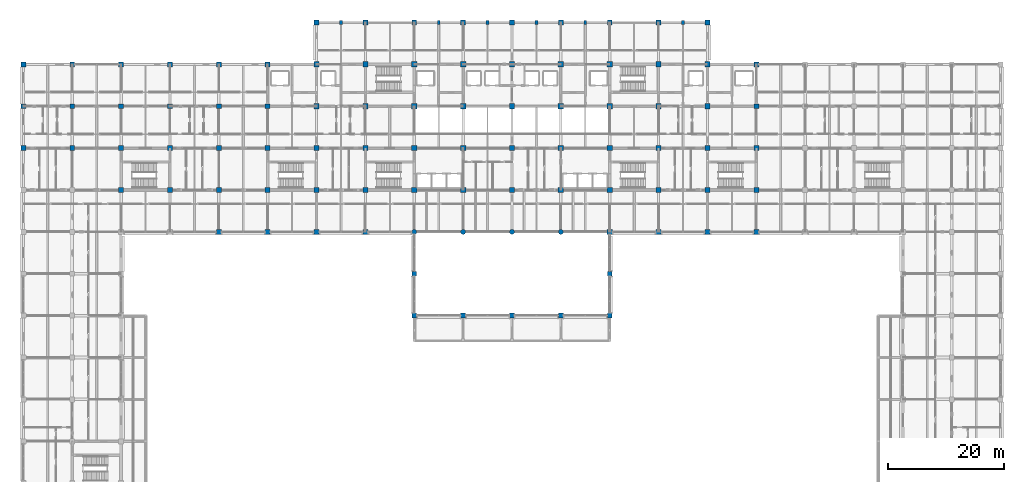
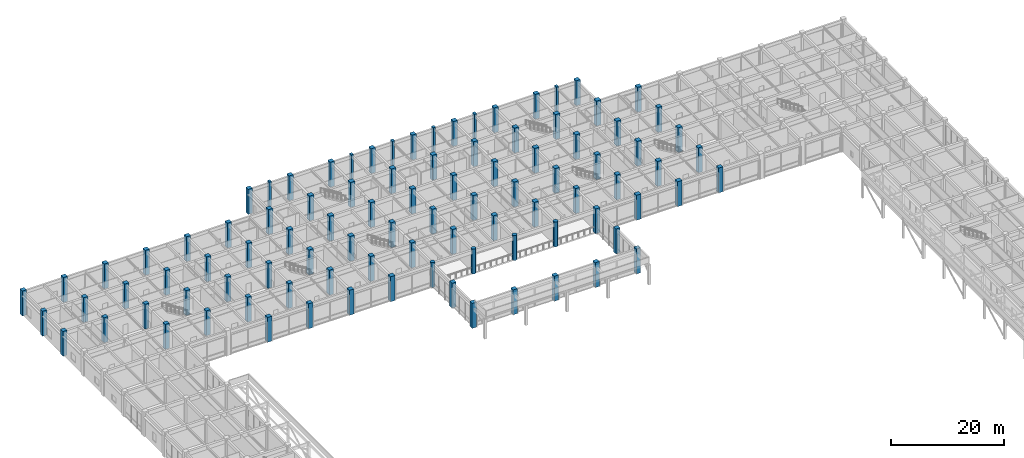
# One storey, part 2 of 68: 96 columns.
"""IFC4 building model written with IfcOpenShell, lengths in metres."""

from ifc_helpers import new_model, si_unit, direction, frame, origin, origin_2d, place, context, subcontext, project, spatial, rectangle, circle, extrude, material, material_profile, profile_set, type_object, element, save


model = new_model("IFC4")

# Units and contexts
model_context = context("Model", 3, precision=1e-05, world=origin(), true_north=direction((0.0, 1.0)))
body_context = subcontext(model_context, "Body", "Model", "MODEL_VIEW")
ifc_project = project(units=[si_unit("LENGTHUNIT", "METRE"), si_unit("AREAUNIT", "SQUARE_METRE"), si_unit("VOLUMEUNIT", "CUBIC_METRE"), si_unit("PLANEANGLEUNIT", "RADIAN"), si_unit("MASSUNIT", "GRAM", prefix="KILO")], contexts=[model_context])

# Site, building, storey
site_placement = place(None, origin())
site = spatial("IfcSite", under=ifc_project, at=site_placement, CompositionType="ELEMENT")
building_placement = place(site_placement, origin())
building = spatial("IfcBuilding", under=site, at=building_placement, Name="Chengyuan Square Courthouse", CompositionType="ELEMENT")
storey_placement = place(building_placement, frame((0.0, 0.0, 5.39990234375)))
storey = spatial("IfcBuildingStorey", under=building, at=storey_placement, Name="L02", CompositionType="ELEMENT", Elevation=5.39990234375)

# Columns
ifc_material_1 = material(Name="Concrete C50", Category="concrete")
ifc_material_profile_1 = material_profile(ifc_material_1, rectangle(XDim=0.89990234375, YDim=0.89990234375, at=origin_2d()), Name="RC-COL-900x900")
ifc_profile_set_1 = profile_set([ifc_material_profile_1], Name="Concrete C50")
column_type_1 = type_object("IfcColumnType", Name="CL-02", PredefinedType="COLUMN", material=ifc_profile_set_1)
for number, where, z_axis, x_axis, name in (
    (1, (50.39990234375, 79.199951171875, 0.0), (0.0, 0.0, 1.0), (1.0, 0.0, 0.0), "Column CL-L02-064"),
    (2, (50.39990234375, 86.39990234375, 0.0), (0.0, 0.0, 1.0), (1.0, 0.0, 0.0), "Column CL-L02-065"),
    (3, (50.39990234375, 93.60009765625, 0.0), (0.0, 0.0, 1.0), (1.0, 0.0, 0.0), "Column CL-L02-066"),
    (4, (50.39990234375, 100.800048828125, 0.0), (0.0, 0.0, 1.0), (1.0, 0.0, 0.0), "Column CL-L02-067"),
    (5, (50.39990234375, 108.0, 0.0), (0.0, 0.0, 1.0), (1.0, 0.0, 0.0), "Column CL-L02-068"),
    (6, (58.800048828125, 79.199951171875, 0.0), (0.0, 0.0, 1.0), (1.0, 0.0, 0.0), "Column CL-L02-070"),
    (7, (58.800048828125, 86.39990234375, 0.0), (0.0, 0.0, 1.0), (1.0, 0.0, 0.0), "Column CL-L02-071"),
    (8, (58.800048828125, 93.60009765625, 0.0), (0.0, 0.0, 1.0), (1.0, 0.0, 0.0), "Column CL-L02-072"),
    (9, (58.800048828125, 100.800048828125, 0.0), (0.0, 0.0, 1.0), (1.0, 0.0, 0.0), "Column CL-L02-073"),
    (10, (58.800048828125, 108.0, 0.0), (0.0, 0.0, 1.0), (1.0, 0.0, 0.0), "Column CL-L02-074"),
    (11, (67.199951171875, 86.39990234375, 0.0), (0.0, 0.0, 1.0), (1.0, 0.0, 0.0), "Column CL-L02-079"),
    (12, (67.199951171875, 93.60009765625, 0.0), (0.0, 0.0, 1.0), (1.0, 0.0, 0.0), "Column CL-L02-080"),
    (13, (67.199951171875, 100.800048828125, 0.0), (0.0, 0.0, 1.0), (1.0, 0.0, 0.0), "Column CL-L02-081"),
    (14, (67.199951171875, 108.0, 0.0), (0.0, 0.0, 1.0), (1.0, 0.0, 0.0), "Column CL-L02-082"),
    (15, (75.60009765625, 86.39990234375, 0.0), (0.0, 0.0, 1.0), (1.0, 0.0, 0.0), "Column CL-L02-086"),
    (16, (75.60009765625, 93.60009765625, 0.0), (0.0, 0.0, 1.0), (1.0, 0.0, 0.0), "Column CL-L02-087"),
    (17, (75.60009765625, 100.800048828125, 0.0), (0.0, 0.0, 1.0), (1.0, 0.0, 0.0), "Column CL-L02-088"),
    (18, (75.60009765625, 108.0, 0.0), (0.0, 0.0, 1.0), (1.0, 0.0, 0.0), "Column CL-L02-089"),
    (19, (84.0, 86.39990234375, 0.0), (0.0, 0.0, 1.0), (1.0, 0.0, 0.0), "Column CL-L02-093"),
    (20, (84.0, 93.60009765625, 0.0), (0.0, 0.0, 1.0), (1.0, 0.0, 0.0), "Column CL-L02-094"),
    (21, (84.0, 100.800048828125, 0.0), (0.0, 0.0, 1.0), (1.0, 0.0, 0.0), "Column CL-L02-095"),
    (22, (84.0, 108.0, 0.0), (0.0, 0.0, 1.0), (1.0, 0.0, 0.0), "Column CL-L02-096"),
    (23, (92.39990234375, 86.39990234375, 0.0), (0.0, 0.0, 1.0), (1.0, 0.0, 0.0), "Column CL-L02-100"),
    (24, (92.39990234375, 93.60009765625, 0.0), (0.0, 0.0, 1.0), (1.0, 0.0, 0.0), "Column CL-L02-101"),
    (25, (92.39990234375, 100.800048828125, 0.0), (0.0, 0.0, 1.0), (1.0, 0.0, 0.0), "Column CL-L02-102"),
    (26, (92.39990234375, 108.0, 0.0), (0.0, 0.0, 1.0), (1.0, 0.0, 0.0), "Column CL-L02-103"),
    (27, (100.800048828125, 79.199951171875, 0.0), (0.0, 0.0, 1.0), (1.0, 0.0, 0.0), "Column CL-L02-107"),
    (28, (100.800048828125, 86.39990234375, 0.0), (0.0, 0.0, 1.0), (1.0, 0.0, 0.0), "Column CL-L02-108"),
    (29, (100.800048828125, 93.60009765625, 0.0), (0.0, 0.0, 1.0), (1.0, 0.0, 0.0), "Column CL-L02-109"),
    (30, (100.800048828125, 100.800048828125, 0.0), (0.0, 0.0, 1.0), (1.0, 0.0, 0.0), "Column CL-L02-110"),
    (31, (100.800048828125, 108.0, 0.0), (0.0, 0.0, 1.0), (1.0, 0.0, 0.0), "Column CL-L02-111"),
    (32, (109.199951171875, 79.199951171875, 0.0), (0.0, 0.0, 1.0), (1.0, 0.0, 0.0), "Column CL-L02-113"),
    (33, (109.199951171875, 86.39990234375, 0.0), (0.0, 0.0, 1.0), (1.0, 0.0, 0.0), "Column CL-L02-114"),
    (34, (109.199951171875, 93.60009765625, 0.0), (0.0, 0.0, 1.0), (1.0, 0.0, 0.0), "Column CL-L02-115"),
    (35, (109.199951171875, 100.800048828125, 0.0), (0.0, 0.0, 1.0), (1.0, 0.0, 0.0), "Column CL-L02-116"),
    (36, (109.199951171875, 108.0, 0.0), (0.0, 0.0, 1.0), (1.0, 0.0, 0.0), "Column CL-L02-117"),
    (37, (117.60009765625, 79.199951171875, 0.0), (0.0, 0.0, 1.0), (1.0, 0.0, 0.0), "Column CL-L02-119"),
    (38, (117.60009765625, 86.39990234375, 0.0), (0.0, 0.0, 1.0), (1.0, 0.0, 0.0), "Column CL-L02-120"),
    (39, (117.60009765625, 93.60009765625, 0.0), (0.0, 0.0, 1.0), (1.0, 0.0, 0.0), "Column CL-L02-121"),
    (40, (117.60009765625, 100.800048828125, 0.0), (0.0, 0.0, 1.0), (1.0, 0.0, 0.0), "Column CL-L02-122"),
    (41, (117.60009765625, 108.0, 0.0), (0.0, 0.0, 1.0), (1.0, 0.0, 0.0), "Column CL-L02-123"),
):
    element("IfcColumn", number, at=place(storey_placement, frame(where, z_axis=z_axis, x_axis=x_axis)), inside=storey, type_object=column_type_1, Name=name, PredefinedType="COLUMN", context=body_context, shape_type="SweptSolid", body=[
        extrude(rectangle(XDim=0.89990234375, YDim=0.89990234375, at=origin_2d()), origin(), (0.0, 0.0, 1.0), 5.400146484375),
    ])
ifc_material_profile_2 = material_profile(ifc_material_1, rectangle(XDim=0.85009765625, YDim=0.85009765625, at=origin_2d()), Name="RC-COL-850x850")
ifc_profile_set_2 = profile_set([ifc_material_profile_2], Name="Concrete C50")
column_type_2 = type_object("IfcColumnType", Name="CL-03", PredefinedType="COLUMN", material=ifc_profile_set_2)
for number, where, z_axis, x_axis, name in (
    (42, (0.0, 93.60009765625, 0.0), (0.0, 0.0, 1.0), (1.0, 0.0, 0.0), "Column CL-L02-014"),
    (43, (0.0, 100.800048828125, 0.0), (0.0, 0.0, 1.0), (1.0, 0.0, 0.0), "Column CL-L02-015"),
    (44, (0.0, 108.0, 0.0), (0.0, 0.0, 1.0), (1.0, 0.0, 0.0), "Column CL-L02-016"),
    (45, (8.39990234375, 93.60009765625, 0.0), (0.0, 0.0, 1.0), (1.0, 0.0, 0.0), "Column CL-L02-030"),
    (46, (8.39990234375, 100.800048828125, 0.0), (0.0, 0.0, 1.0), (1.0, 0.0, 0.0), "Column CL-L02-031"),
    (47, (8.39990234375, 108.0, 0.0), (0.0, 0.0, 1.0), (1.0, 0.0, 0.0), "Column CL-L02-032"),
    (48, (16.800048828125, 86.39990234375, 0.0), (0.0, 0.0, 1.0), (1.0, 0.0, 0.0), "Column CL-L02-045"),
    (49, (16.800048828125, 93.60009765625, 0.0), (0.0, 0.0, 1.0), (1.0, 0.0, 0.0), "Column CL-L02-046"),
    (50, (16.800048828125, 100.800048828125, 0.0), (0.0, 0.0, 1.0), (1.0, 0.0, 0.0), "Column CL-L02-047"),
    (51, (16.800048828125, 108.0, 0.0), (0.0, 0.0, 1.0), (1.0, 0.0, 0.0), "Column CL-L02-048"),
    (52, (25.199951171875, 86.39990234375, 0.0), (0.0, 0.0, 1.0), (1.0, 0.0, 0.0), "Column CL-L02-050"),
    (53, (25.199951171875, 93.60009765625, 0.0), (0.0, 0.0, 1.0), (1.0, 0.0, 0.0), "Column CL-L02-051"),
    (54, (25.199951171875, 100.800048828125, 0.0), (0.0, 0.0, 1.0), (1.0, 0.0, 0.0), "Column CL-L02-052"),
    (55, (25.199951171875, 108.0, 0.0), (0.0, 0.0, 1.0), (1.0, 0.0, 0.0), "Column CL-L02-053"),
    (56, (33.60009765625, 79.199951171875, 0.0), (0.0, 0.0, 1.0), (1.0, 0.0, 0.0), "Column CL-L02-054"),
    (57, (33.60009765625, 86.39990234375, 0.0), (0.0, 0.0, 1.0), (1.0, 0.0, 0.0), "Column CL-L02-055"),
    (58, (33.60009765625, 93.60009765625, 0.0), (0.0, 0.0, 1.0), (1.0, 0.0, 0.0), "Column CL-L02-056"),
    (59, (33.60009765625, 100.800048828125, 0.0), (0.0, 0.0, 1.0), (1.0, 0.0, 0.0), "Column CL-L02-057"),
    (60, (33.60009765625, 108.0, 0.0), (0.0, 0.0, 1.0), (1.0, 0.0, 0.0), "Column CL-L02-058"),
    (61, (42.0, 79.199951171875, 0.0), (0.0, 0.0, 1.0), (1.0, 0.0, 0.0), "Column CL-L02-059"),
    (62, (42.0, 86.39990234375, 0.0), (0.0, 0.0, 1.0), (1.0, 0.0, 0.0), "Column CL-L02-060"),
    (63, (42.0, 93.60009765625, 0.0), (0.0, 0.0, 1.0), (1.0, 0.0, 0.0), "Column CL-L02-061"),
    (64, (42.0, 100.800048828125, 0.0), (0.0, 0.0, 1.0), (1.0, 0.0, 0.0), "Column CL-L02-062"),
    (65, (42.0, 108.0, 0.0), (0.0, 0.0, 1.0), (1.0, 0.0, 0.0), "Column CL-L02-063"),
    (66, (50.39990234375, 115.199951171875, 0.0), (0.0, 0.0, 1.0), (1.0, 0.0, 0.0), "Column CL-L02-069"),
    (67, (58.800048828125, 115.199951171875, 0.0), (0.0, 0.0, 1.0), (1.0, 0.0, 0.0), "Column CL-L02-075"),
    (68, (67.199951171875, 64.800048828125, 0.0), (0.0, 0.0, 1.0), (1.0, 0.0, 0.0), "Column CL-L02-076"),
    (69, (67.199951171875, 72.0, 0.0), (0.0, 0.0, 1.0), (1.0, 0.0, 0.0), "Column CL-L02-077"),
    (70, (67.199951171875, 115.199951171875, 0.0), (0.0, 0.0, 1.0), (1.0, 0.0, 0.0), "Column CL-L02-083"),
    (71, (75.60009765625, 64.800048828125, 0.0), (0.0, 0.0, 1.0), (1.0, 0.0, 0.0), "Column CL-L02-084"),
    (72, (75.60009765625, 115.199951171875, 0.0), (0.0, 0.0, 1.0), (1.0, 0.0, 0.0), "Column CL-L02-090"),
    (73, (84.0, 64.800048828125, 0.0), (0.0, 0.0, 1.0), (1.0, 0.0, 0.0), "Column CL-L02-091"),
    (74, (84.0, 115.199951171875, 0.0), (0.0, 0.0, 1.0), (1.0, 0.0, 0.0), "Column CL-L02-097"),
    (75, (92.39990234375, 64.800048828125, 0.0), (0.0, 0.0, 1.0), (1.0, 0.0, 0.0), "Column CL-L02-098"),
    (76, (92.39990234375, 115.199951171875, 0.0), (0.0, 0.0, 1.0), (1.0, 0.0, 0.0), "Column CL-L02-104"),
    (77, (100.800048828125, 64.800048828125, 0.0), (0.0, 0.0, 1.0), (1.0, 0.0, 0.0), "Column CL-L02-105"),
    (78, (100.800048828125, 72.0, 0.0), (0.0, 0.0, 1.0), (1.0, 0.0, 0.0), "Column CL-L02-106"),
    (79, (100.800048828125, 115.199951171875, 0.0), (0.0, 0.0, 1.0), (1.0, 0.0, 0.0), "Column CL-L02-112"),
    (80, (109.199951171875, 115.199951171875, 0.0), (0.0, 0.0, 1.0), (1.0, 0.0, 0.0), "Column CL-L02-118"),
    (81, (117.60009765625, 115.199951171875, 0.0), (0.0, 0.0, 1.0), (1.0, 0.0, 0.0), "Column CL-L02-124"),
    (82, (126.0, 79.199951171875, 0.0), (0.0, 0.0, 1.0), (1.0, 0.0, 0.0), "Column CL-L02-125"),
    (83, (126.0, 86.39990234375, 0.0), (0.0, 0.0, 1.0), (1.0, 0.0, 0.0), "Column CL-L02-126"),
    (84, (126.0, 93.60009765625, 0.0), (0.0, 0.0, 1.0), (1.0, 0.0, 0.0), "Column CL-L02-127"),
    (85, (126.0, 100.800048828125, 0.0), (0.0, 0.0, 1.0), (1.0, 0.0, 0.0), "Column CL-L02-128"),
    (86, (126.0, 108.0, 0.0), (0.0, 0.0, 1.0), (1.0, 0.0, 0.0), "Column CL-L02-129"),
):
    element("IfcColumn", number, at=place(storey_placement, frame(where, z_axis=z_axis, x_axis=x_axis)), inside=storey, type_object=column_type_2, Name=name, PredefinedType="COLUMN", context=body_context, shape_type="SweptSolid", body=[
        extrude(rectangle(XDim=0.85009765625, YDim=0.85009765625, at=origin_2d()), origin(), (0.0, 0.0, 1.0), 5.400146484375),
    ])
ifc_material_profile_3 = material_profile(ifc_material_1, circle(Radius=0.425048828125, at=origin_2d()), Name="RC-COL-D850")
ifc_profile_set_3 = profile_set([ifc_material_profile_3], Name="Concrete C50")
column_type_3 = type_object("IfcColumnType", Name="CL-08", PredefinedType="COLUMN", material=ifc_profile_set_3)
for number, where, z_axis, x_axis, name in (
    (87, (67.199951171875, 79.199951171875, 0.0), (0.0, 0.0, 1.0), (1.0, 0.0, 0.0), "Column CL-L02-078"),
    (88, (75.60009765625, 79.199951171875, 0.0), (0.0, 0.0, 1.0), (1.0, 0.0, 0.0), "Column CL-L02-085"),
    (89, (84.0, 79.199951171875, 0.0), (0.0, 0.0, 1.0), (1.0, 0.0, 0.0), "Column CL-L02-092"),
    (90, (92.39990234375, 79.199951171875, 0.0), (0.0, 0.0, 1.0), (1.0, 0.0, 0.0), "Column CL-L02-099"),
):
    element("IfcColumn", number, at=place(storey_placement, frame(where, z_axis=z_axis, x_axis=x_axis)), inside=storey, type_object=column_type_3, Name=name, PredefinedType="COLUMN", context=body_context, shape_type="SweptSolid", body=[
        extrude(circle(Radius=0.425048828125, at=origin_2d()), origin(), (0.0, 0.0, 1.0), 5.400146484375),
    ])
ifc_material_2 = material(Name="Concrete C40", Category="concrete")
ifc_material_profile_4 = material_profile(ifc_material_2, rectangle(XDim=0.5, YDim=0.64990234375, at=origin_2d()), Name="RC-PIL-500x650")
ifc_profile_set_4 = profile_set([ifc_material_profile_4], Name="Concrete C40")
column_type_4 = type_object("IfcColumnType", Name="CL-09", PredefinedType="PILASTER", material=ifc_profile_set_4)
for number, where, z_axis, x_axis, name in (
    (91, (54.60009765625, 115.199951171875, 0.0), (0.0, 0.0, 1.0), (1.0, 0.0, 0.0), "Engaged Pilaster PLST-L02-188"),
    (92, (71.39990234375, 115.199951171875, 0.0), (0.0, 0.0, 1.0), (1.0, 0.0, 0.0), "Engaged Pilaster PLST-L02-189"),
    (93, (79.800048828125, 115.199951171875, 0.0), (0.0, 0.0, 1.0), (1.0, 0.0, 0.0), "Engaged Pilaster PLST-L02-190"),
    (94, (88.199951171875, 115.199951171875, 0.0), (0.0, 0.0, 1.0), (1.0, 0.0, 0.0), "Engaged Pilaster PLST-L02-191"),
    (95, (96.60009765625, 115.199951171875, 0.0), (0.0, 0.0, 1.0), (1.0, 0.0, 0.0), "Engaged Pilaster PLST-L02-192"),
    (96, (113.39990234375, 115.199951171875, 0.0), (0.0, 0.0, 1.0), (1.0, 0.0, 0.0), "Engaged Pilaster PLST-L02-193"),
):
    element("IfcColumn", number, at=place(storey_placement, frame(where, z_axis=z_axis, x_axis=x_axis)), inside=storey, type_object=column_type_4, Name=name, PredefinedType="PILASTER", context=body_context, shape_type="SweptSolid", body=[
        extrude(rectangle(XDim=0.5, YDim=0.64990234375, at=origin_2d()), origin(), (0.0, 0.0, 1.0), 5.400146484375),
    ])

save(model, "model.ifc")
